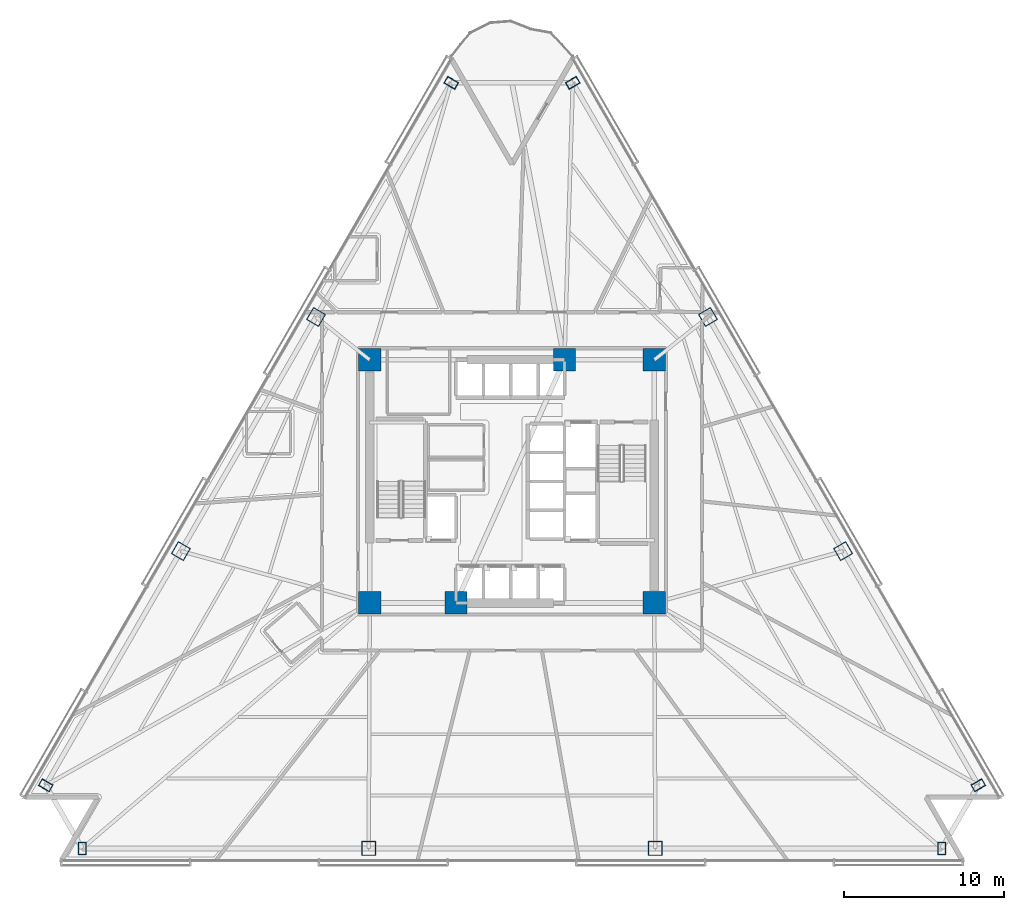
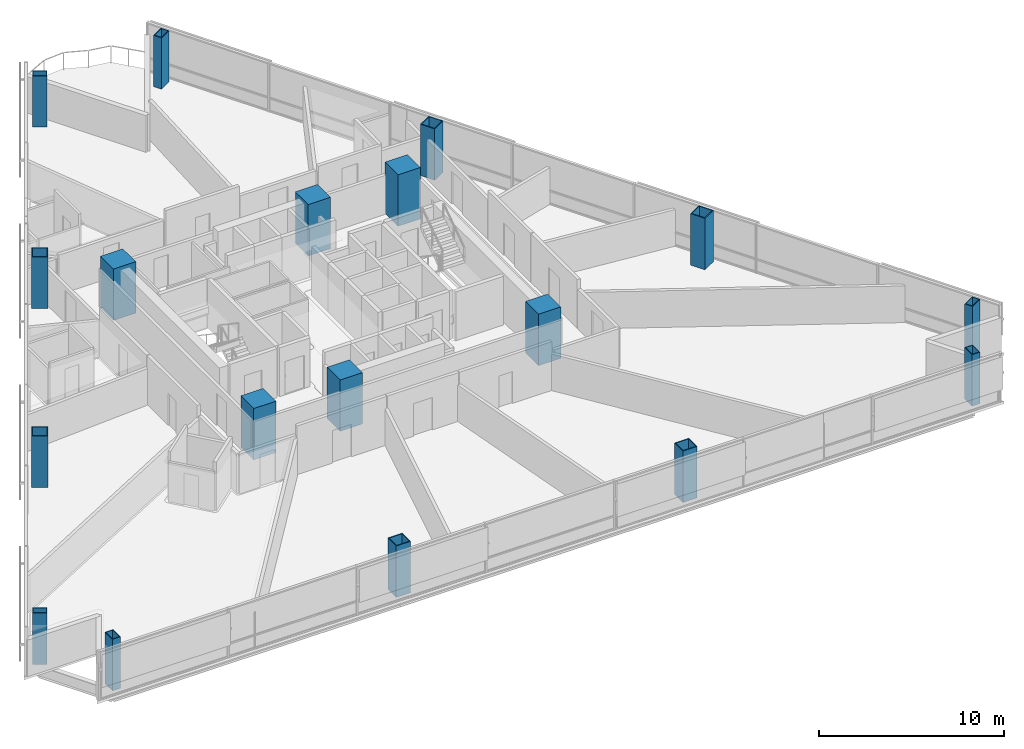
# One storey, part 1 of 16: 18 columns.
"""IFC4 building model written with IfcOpenShell, lengths in metres."""

from ifc_helpers import new_model, si_unit, direction, frame, origin, origin_2d, place, context, subcontext, project, spatial, rectangle, hollow_rectangle, extrude, material, material_profile, profile_set, type_object, element, save


model = new_model("IFC4")

# Units and contexts
model_context = context("Model", 3, precision=1e-05, world=origin(), true_north=direction((0.0, 1.0)))
body_context = subcontext(model_context, "Body", "Model", "MODEL_VIEW")
ifc_project = project(units=[si_unit("LENGTHUNIT", "METRE"), si_unit("AREAUNIT", "SQUARE_METRE"), si_unit("VOLUMEUNIT", "CUBIC_METRE"), si_unit("PLANEANGLEUNIT", "RADIAN"), si_unit("MASSUNIT", "GRAM", prefix="KILO")], contexts=[model_context])

# Site, building, storey
site_placement = place(None, origin())
site = spatial("IfcSite", under=ifc_project, at=site_placement, CompositionType="ELEMENT")
building_placement = place(site_placement, origin())
building = spatial("IfcBuilding", under=site, at=building_placement, Name="Tharavind Bronze Gate", CompositionType="ELEMENT")
storey_placement = place(building_placement, frame((0.0, 0.0, 45.449951171875)))
storey = spatial("IfcBuildingStorey", under=building, at=storey_placement, Name="L10", CompositionType="ELEMENT", Elevation=45.449951171875)

# Columns
ifc_material_1 = material(Name="Steel S460", Category="steel")
ifc_material_profile_1 = material_profile(ifc_material_1, hollow_rectangle(XDim=0.5, YDim=0.800048828125, WallThickness=0.0400390625, at=origin_2d()), Name="RHS800X500X40")
ifc_profile_set_1 = profile_set([ifc_material_profile_1], Name="Steel S460")
column_type_1 = type_object("IfcColumnType", Name="CORNER NOTCH COLUMN RHS800X500", PredefinedType="COLUMN", material=ifc_profile_set_1)
for number, where, z_axis, x_axis, name in (
    (1, (-3.800048828125, 24.918212890625, 0.0), (0.0, 0.0, 1.0), (0.500001511499, 0.866024531118, 0.0), "L10 perimeter column S1C1"),
    (2, (-29.15673828125, -19.0009765625, 0.0), (0.0, 0.0, 1.0), (0.500001511499, 0.866024531118, 0.0), "L10 perimeter column S1C4"),
    (3, (-26.876708984375, -22.949951171875, 0.0), (0.0, 0.0, 1.0), (1.0, 0.0, 0.0), "L10 perimeter column S2C1"),
    (4, (26.876708984375, -22.949951171875, 0.0), (0.0, 0.0, 1.0), (1.0, 0.0, 0.0), "L10 perimeter column S2C4"),
    (5, (29.15673828125, -19.0009765625, 0.0), (0.0, 0.0, 1.0), (-0.500001511499, 0.866024531118, 0.0), "L10 perimeter column S3C1"),
    (6, (3.800048828125, 24.918212890625, 0.0), (0.0, 0.0, 1.0), (-0.500001511499, 0.866024531118, 0.0), "L10 perimeter column S3C4"),
):
    element("IfcColumn", number, at=place(storey_placement, frame(where, z_axis=z_axis, x_axis=x_axis)), inside=storey, type_object=column_type_1, Name=name, PredefinedType="COLUMN", context=body_context, shape_type="SweptSolid", body=[
        extrude(hollow_rectangle(XDim=0.5, YDim=0.800048828125, WallThickness=0.0400390625, at=origin_2d()), origin(), (0.0, 0.0, 1.0), 3.400146484375),
    ])
ifc_material_2 = material(Name="Concrete C70/85", Category="concrete")
ifc_material_profile_2 = material_profile(ifc_material_2, rectangle(XDim=1.39990234375, YDim=1.39990234375, at=origin_2d()), Name="RCCOL1400")
ifc_profile_set_2 = profile_set([ifc_material_profile_2], Name="Concrete C70/85")
column_type_2 = type_object("IfcColumnType", Name="MEGA CORE COLUMN 1400", PredefinedType="COLUMN", material=ifc_profile_set_2)
for number, where, z_axis, x_axis, name in (
    (7, (-8.89990234375, -7.60009765625, 0.0), (0.0, 0.0, 1.0), (1.0, 0.0, 0.0), "L10 core mega column MC1"),
    (8, (-3.5, -7.60009765625, 0.0), (0.0, 0.0, 1.0), (1.0, 0.0, 0.0), "L10 core mega column MC2"),
    (9, (8.89990234375, -7.60009765625, 0.0), (0.0, 0.0, 1.0), (1.0, 0.0, 0.0), "L10 core mega column MC3"),
    (10, (8.89990234375, 7.60009765625, 0.0), (0.0, 0.0, 1.0), (1.0, 0.0, 0.0), "L10 core mega column MC4"),
    (11, (3.280029296875, 7.60009765625, 0.0), (0.0, 0.0, 1.0), (1.0, 0.0, 0.0), "L10 core mega column MC5"),
    (12, (-8.89990234375, 7.60009765625, 0.0), (0.0, 0.0, 1.0), (1.0, 0.0, 0.0), "L10 core mega column MC6"),
):
    element("IfcColumn", number, at=place(storey_placement, frame(where, z_axis=z_axis, x_axis=x_axis)), inside=storey, type_object=column_type_2, Name=name, PredefinedType="COLUMN", context=body_context, shape_type="SweptSolid", body=[
        extrude(rectangle(XDim=1.39990234375, YDim=1.39990234375, at=origin_2d()), origin(), (0.0, 0.0, 1.0), 3.400146484375),
    ])
ifc_material_profile_3 = material_profile(ifc_material_1, hollow_rectangle(XDim=0.89990234375, YDim=0.89990234375, WallThickness=0.050048828125, at=origin_2d()), Name="SHS900X50")
ifc_profile_set_3 = profile_set([ifc_material_profile_3], Name="Steel S460")
column_type_3 = type_object("IfcColumnType", Name="PERIMETER BOX COLUMN SHS900", PredefinedType="COLUMN", material=ifc_profile_set_3)
for number, where, z_axis, x_axis, name in (
    (13, (-12.252197265625, 10.278564453125, 0.0), (0.0, 0.0, 1.0), (0.500001511499, 0.866024531118, 0.0), "L10 perimeter column S1C2"),
    (14, (-20.70458984375, -4.361083984375, 0.0), (0.0, 0.0, 1.0), (0.500001511499, 0.866024531118, 0.0), "L10 perimeter column S1C3"),
    (15, (-8.958984375, -22.949951171875, 0.0), (0.0, 0.0, 1.0), (1.0, 0.0, 0.0), "L10 perimeter column S2C2"),
    (16, (8.958984375, -22.949951171875, 0.0), (0.0, 0.0, 1.0), (1.0, 0.0, 0.0), "L10 perimeter column S2C3"),
    (17, (20.70458984375, -4.361083984375, 0.0), (0.0, 0.0, 1.0), (-0.500001511499, 0.866024531118, 0.0), "L10 perimeter column S3C2"),
    (18, (12.252197265625, 10.278564453125, 0.0), (0.0, 0.0, 1.0), (-0.500001511499, 0.866024531118, 0.0), "L10 perimeter column S3C3"),
):
    element("IfcColumn", number, at=place(storey_placement, frame(where, z_axis=z_axis, x_axis=x_axis)), inside=storey, type_object=column_type_3, Name=name, PredefinedType="COLUMN", context=body_context, shape_type="SweptSolid", body=[
        extrude(hollow_rectangle(XDim=0.89990234375, YDim=0.89990234375, WallThickness=0.050048828125, at=origin_2d()), origin(), (0.0, 0.0, 1.0), 3.400146484375),
    ])

save(model, "model.ifc")
